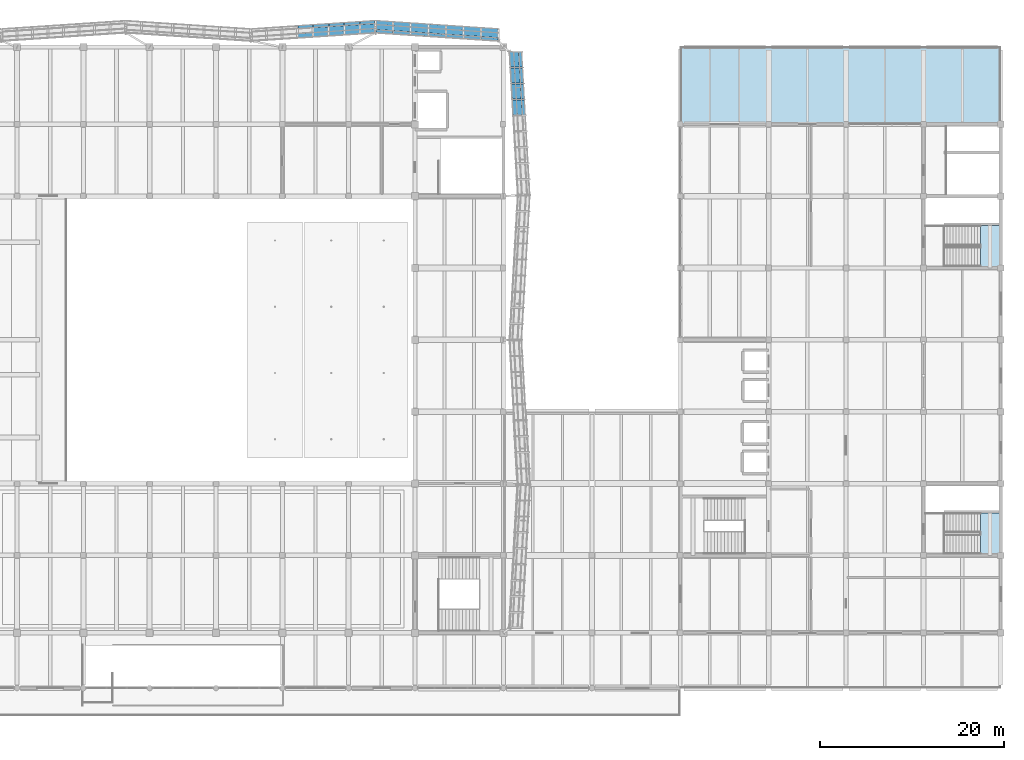
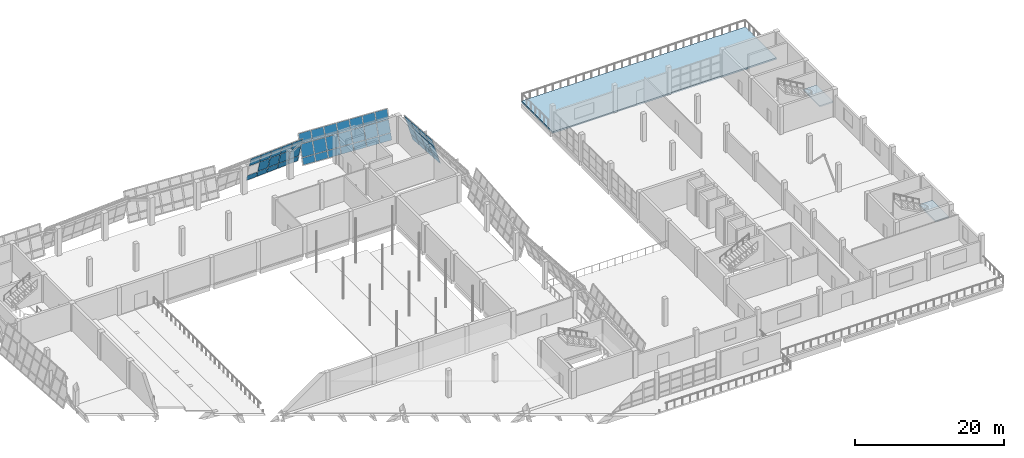
# One storey, part 46 of 71: 47 plates, 3 slabs, 5 elements without a shape of their own.
"""IFC4 building model written with IfcOpenShell, lengths in metres."""

from ifc_helpers import new_model, si_unit, direction, frame, origin, place, context, subcontext, project, spatial, polyline, outline, extrude, material, layer, layer_set, type_object, element, aggregate, save


model = new_model("IFC4")

# Units and contexts
model_context = context("Model", 3, precision=1e-05, world=origin(), true_north=direction((0.0, 1.0)))
body_context = subcontext(model_context, "Body", "Model", "MODEL_VIEW")
ifc_project = project(units=[si_unit("LENGTHUNIT", "METRE"), si_unit("AREAUNIT", "SQUARE_METRE"), si_unit("VOLUMEUNIT", "CUBIC_METRE"), si_unit("PLANEANGLEUNIT", "RADIAN"), si_unit("MASSUNIT", "GRAM", prefix="KILO")], contexts=[model_context])

# Site, building, storey
site_placement = place(None, origin())
site = spatial("IfcSite", under=ifc_project, at=site_placement, CompositionType="ELEMENT")
building_placement = place(site_placement, origin())
building = spatial("IfcBuilding", under=site, at=building_placement, Name="Pellamere Symphony Hall", CompositionType="ELEMENT")
storey_placement = place(building_placement, frame((0.0, 0.0, 15.0)))
storey = spatial("IfcBuildingStorey", under=building, at=storey_placement, Name="L03", CompositionType="ELEMENT", Elevation=15.0)

# Curtain wall, plates
ifc_material_1 = material(Name="Thermally Broken Anodised Aluminium 6063-T6 Curtain Wall", Category="aluminium")
curtain_wall_type = type_object("IfcCurtainWallType", Name="Curtain Wall CW-01 (Tilted Faceted Crystal Low-Iron Curtain Wall)", PredefinedType="NOTDEFINED", material=ifc_material_1)
curtain_wall_1_placement = place(storey_placement, origin())
curtain_wall_1 = element("IfcCurtainWall", 1, at=curtain_wall_1_placement, inside=storey, type_object=curtain_wall_type, Name="Crystal Faceted Curtain Wall CW-CR09 (L03)", PredefinedType="NOTDEFINED")
ifc_material_2 = material(Name="Triple Laminated Acoustic Crystal Glazing 42mm", Category="glass")
ifc_layer_1 = layer(ifc_material_2, 0.0419921875, Name="Triple Laminated Acoustic Crystal Glazing 42mm")
ifc_layer_set_1 = layer_set([ifc_layer_1], Name="Triple Laminated Acoustic Crystal Glazing 42mm")
plate_type = type_object("IfcPlateType", Name="Facade Panel GL-02 42mm", PredefinedType="CURTAIN_PANEL", material=ifc_layer_set_1)
plate_1_placement = place(storey_placement, frame((121.159423828125, 86.2041015625, 0.072021484375), z_axis=(0.957341250423, 0.055174311724, 0.283643306926), x_axis=(-0.057531487585, 0.998343692091, -1.9953977e-05)))
plate_1 = element("IfcPlate", 2, at=plate_1_placement, type_object=plate_type, Name="CW1-020 crystal glass panel 6.1", PredefinedType="CURTAIN_PANEL", context=body_context, shape_type="SweptSolid", body=[
    extrude(outline(polyline([(0.0, 0.0), (1.6611922636769045, -3.469446951953614e-18), (1.6777468824677166, 1.0135854014350005), (0.016540573017476246, 1.0135162670094096), (0.0, 0.0)])), origin(), (0.0, 0.0, -1.0), 0.0419921875),
])
plate_2_placement = place(storey_placement, frame((120.850341796875, 86.2041015625, 1.115966796875), z_axis=(0.957351997497, 0.055245397176, 0.283593192759), x_axis=(-0.057610619545, 0.998339129012, 0.0)))
plate_2 = element("IfcPlate", 3, at=plate_2_placement, type_object=plate_type, Name="CW1-020 crystal glass panel 6.2", PredefinedType="CURTAIN_PANEL", context=body_context, shape_type="SweptSolid", body=[
    extrude(outline(polyline([(0.0, 0.0), (1.6612063149993754, -3.469446951953614e-18), (1.6922339094127932, 1.8959542407330272), (0.031027594413417556, 1.8959542407330272), (0.0, 0.0)])), origin(), (0.0, 0.0, -1.0), 0.0419921875),
])
plate_3_placement = place(storey_placement, frame((120.29052734375, 86.2041015625, 3.005859375), z_axis=(0.957330592308, 0.055244161959, 0.283665682802), x_axis=(-0.057610619545, 0.998339129012, 0.0)))
plate_3 = element("IfcPlate", 4, at=plate_3_placement, type_object=plate_type, Name="CW1-020 crystal glass panel 6.3", PredefinedType="CURTAIN_PANEL", context=body_context, shape_type="SweptSolid", body=[
    extrude(outline(polyline([(0.0, 0.0), (1.6612063149993754, 0.0), (1.6854826649348056, 1.4830375166207674), (0.024276349935430055, 1.4830375166207674), (0.0, 0.0)])), origin(), (0.0, 0.0, -1.0), 0.0419921875),
])
plate_4_placement = place(storey_placement, frame((121.0595703125, 87.9375, 0.072021484375), z_axis=(0.957304871124, 0.05524267768, 0.283752762604), x_axis=(-0.057610619545, 0.998339129012, 0.0)))
plate_4 = element("IfcPlate", 5, at=plate_4_placement, type_object=plate_type, Name="CW1-020 crystal glass panel 7.1", PredefinedType="CURTAIN_PANEL", context=body_context, shape_type="SweptSolid", body=[
    extrude(outline(polyline([(0.0, 0.0), (1.6612063149993754, 0.0), (1.677803124341095, 1.0135847182066644), (0.01659680934171927, 1.0135847182066644), (0.0, 0.0)])), origin(), (0.0, 0.0, -1.0), 0.0419921875),
])
plate_5_placement = place(storey_placement, frame((120.750244140625, 87.9375, 1.115966796875), z_axis=(0.957351997497, 0.055245397176, 0.283593192759), x_axis=(-0.057610619545, 0.998339129012, 0.0)))
plate_5 = element("IfcPlate", 6, at=plate_5_placement, type_object=plate_type, Name="CW1-020 crystal glass panel 7.2", PredefinedType="CURTAIN_PANEL", context=body_context, shape_type="SweptSolid", body=[
    extrude(outline(polyline([(0.0, 0.0), (1.6612063149993754, -3.469446951953614e-18), (1.6922339094127932, 1.8959542407330272), (0.031027594413417556, 1.8959542407330272), (0.0, 0.0)])), origin(), (0.0, 0.0, -1.0), 0.0419921875),
])
plate_6_placement = place(storey_placement, frame((120.1904296875, 87.9375, 3.005859375), z_axis=(0.957330592308, 0.055244161959, 0.283665682802), x_axis=(-0.057610619545, 0.998339129012, 0.0)))
plate_6 = element("IfcPlate", 7, at=plate_6_placement, type_object=plate_type, Name="CW1-020 crystal glass panel 7.3", PredefinedType="CURTAIN_PANEL", context=body_context, shape_type="SweptSolid", body=[
    extrude(outline(polyline([(0.0, 0.0), (1.6612063149993754, 0.0), (1.6854826649348056, 1.4830375166207674), (0.024276349935430055, 1.4830375166207674), (0.0, 0.0)])), origin(), (0.0, 0.0, -1.0), 0.0419921875),
])
plate_7_placement = place(storey_placement, frame((120.95947265625, 89.670654296875, 0.072021484375), z_axis=(0.957370600532, 0.055238339036, 0.283531760369), x_axis=(-0.057602168051, 0.998339616682, 0.0)))
plate_7 = element("IfcPlate", 8, at=plate_7_placement, type_object=plate_type, Name="CW1-020 crystal glass panel 8.1", PredefinedType="CURTAIN_PANEL", context=body_context, shape_type="SweptSolid", body=[
    extrude(outline(polyline([(0.0, 0.0), (1.6614500501978287, 3.469446951953614e-18), (1.6780303617535524, 1.0135156244351138), (0.01658031155572367, 1.0135156244351138), (0.0, 0.0)])), origin(), (0.0, 0.0, -1.0), 0.0419921875),
])
plate_8_placement = place(storey_placement, frame((120.650390625, 89.670654296875, 1.115966796875), z_axis=(0.957352427535, 0.055237290491, 0.283593320148), x_axis=(-0.057602168051, 0.998339616682, 0.0)))
plate_8 = element("IfcPlate", 9, at=plate_8_placement, type_object=plate_type, Name="CW1-020 crystal glass panel 8.2", PredefinedType="CURTAIN_PANEL", context=body_context, shape_type="SweptSolid", body=[
    extrude(outline(polyline([(0.0, 0.0), (1.6614500501978287, -3.469446951953614e-18), (1.6924730928542548, 1.8959543152177933), (0.031023042656426136, 1.8959543152177933), (0.0, 0.0)])), origin(), (0.0, 0.0, -1.0), 0.0419921875),
])
plate_9_placement = place(storey_placement, frame((120.09033203125, 89.670654296875, 3.005859375), z_axis=(0.957375643376, 0.055238629998, 0.283514675506), x_axis=(-0.057602168051, 0.998339616682, 0.0)))
plate_9 = element("IfcPlate", 10, at=plate_9_placement, type_object=plate_type, Name="CW1-020 crystal glass panel 8.3", PredefinedType="CURTAIN_PANEL", context=body_context, shape_type="SweptSolid", body=[
    extrude(outline(polyline([(0.0, 0.0), (1.6614500501978287, -3.469446951953614e-18), (1.6857087757564575, 1.4829684539719754), (0.02425872555862878, 1.4829684539719754), (0.0, 0.0)])), origin(), (0.0, 0.0, -1.0), 0.0419921875),
])
plate_10_placement = place(storey_placement, frame((120.859619140625, 91.404052734375, 0.072021484375), z_axis=(0.957306173936, 0.055218112141, 0.283753148768), x_axis=(-0.057585007883, 0.99834060664, 0.0)))
plate_10 = element("IfcPlate", 11, at=plate_10_placement, type_object=plate_type, Name="CW1-020 crystal glass panel 9.1", PredefinedType="CURTAIN_PANEL", context=body_context, shape_type="SweptSolid", body=[
    extrude(outline(polyline([(0.0, 0.0), (1.6237882534451713, -3.469446951953614e-18), (1.640377684427097, 1.0135848389957818), (0.016589430981925515, 1.0135848389957818), (0.0, 0.0)])), origin(), (0.0, 0.0, -1.0), 0.0419921875),
])
plate_11_placement = place(storey_placement, frame((120.55029296875, 91.404052734375, 1.115966796875), z_axis=(0.957353300502, 0.055220830436, 0.283593578744), x_axis=(-0.057585007883, 0.99834060664, 0.0)))
plate_11 = element("IfcPlate", 12, at=plate_11_placement, type_object=plate_type, Name="CW1-020 crystal glass panel 9.2", PredefinedType="CURTAIN_PANEL", context=body_context, shape_type="SweptSolid", body=[
    extrude(outline(polyline([(0.0, 0.0), (1.6237882534451713, -3.469446951953614e-18), (1.654802054077483, 1.895954466420271), (0.031013800632311597, 1.895954466420271), (0.0, 0.0)])), origin(), (0.0, 0.0, -1.0), 0.0419921875),
])
plate_12_placement = place(storey_placement, frame((119.990478515625, 91.404052734375, 3.005859375), z_axis=(0.957331895226, 0.055219595764, 0.283666068869), x_axis=(-0.057585007883, 0.99834060664, 0.0)))
plate_12 = element("IfcPlate", 13, at=plate_12_placement, type_object=plate_type, Name="CW1-020 crystal glass panel 9.3", PredefinedType="CURTAIN_PANEL", context=body_context, shape_type="SweptSolid", body=[
    extrude(outline(polyline([(0.0, 0.0), (1.6237882534451713, 0.0), (1.6480538109661913, 1.483037693246222), (0.024265557521019863, 1.483037693246222), (0.0, 0.0)])), origin(), (0.0, 0.0, -1.0), 0.0419921875),
])
aggregate(curtain_wall_1, [plate_1, plate_2, plate_3, plate_4, plate_5, plate_6, plate_7, plate_8, plate_9, plate_10, plate_11, plate_12])

curtain_wall_2_placement = place(storey_placement, origin())
curtain_wall_2 = element("IfcCurtainWall", 14, at=curtain_wall_2_placement, inside=storey, type_object=curtain_wall_type, Name="Crystal Faceted Curtain Wall CW-CR10 (L03)", PredefinedType="NOTDEFINED")
plate_13_placement = place(storey_placement, frame((118.22509765625, 94.2763671875, 0.072021484375), z_axis=(-0.064299929155, -0.956850357038, 0.283377686749), x_axis=(-0.997749727577, 0.067048349123, 0.0)))
plate_13 = element("IfcPlate", 15, at=plate_13_placement, type_object=plate_type, Name="CW1-023 crystal glass panel 1.1", PredefinedType="CURTAIN_PANEL", context=body_context, shape_type="SweptSolid", body=[
    extrude(outline(polyline([(0.0, 0.0), (1.806066093850216, -6.938893903907228e-18), (1.8253654111393334, -1.0134674953137657), (0.019299317289117303, -1.0134674953137657), (0.0, 0.0)])), origin(), (0.0, 0.0, -1.0), 0.0419921875),
])
plate_14_placement = place(storey_placement, frame((118.22509765625, 94.585693359375, 1.115966796875), z_axis=(-0.064169609769, -0.956840181223, 0.28344157913), x_axis=(-0.997758761658, 0.066913776862, 0.0)))
plate_14 = element("IfcPlate", 16, at=plate_14_placement, type_object=plate_type, Name="CW1-023 crystal glass panel 1.2", PredefinedType="CURTAIN_PANEL", context=body_context, shape_type="SweptSolid", body=[
    extrude(outline(polyline([(0.0, 0.0), (1.8060497410515595, 6.938893903907228e-18), (1.8420877761488028, -1.895865621449728), (0.03603803509724332, -1.895865621449728), (0.0, 0.0)])), origin(), (0.0, 0.0, -1.0), 0.0419921875),
])
plate_15_placement = place(storey_placement, frame((118.22509765625, 95.1455078125, 3.005859375), z_axis=(-0.064300267479, -0.956855391665, 0.283360609549), x_axis=(-0.997749727577, 0.067048349123, 0.0)))
plate_15 = element("IfcPlate", 17, at=plate_15_placement, type_object=plate_type, Name="CW1-023 crystal glass panel 1.3", PredefinedType="CURTAIN_PANEL", context=body_context, shape_type="SweptSolid", body=[
    extrude(outline(polyline([(0.0, 0.0), (1.806066093850216, 0.0), (1.8343030084589753, -1.4828980402897356), (0.028236914608759413, -1.4828980402897356), (0.0, 0.0)])), origin(), (0.0, 0.0, -1.0), 0.0419921875),
])
plate_16_placement = place(storey_placement, frame((116.348388671875, 94.40234375, 0.072021484375), z_axis=(-0.064251449356, -0.956787887145, 0.283599524449), x_axis=(-0.997752815695, 0.067002378864, 0.0)))
plate_16 = element("IfcPlate", 18, at=plate_16_placement, type_object=plate_type, Name="CW1-023 crystal glass panel 2.1", PredefinedType="CURTAIN_PANEL", context=body_context, shape_type="SweptSolid", body=[
    extrude(outline(polyline([(0.0, 0.0), (1.8437428393467363, 0.0), (1.863045282476549, -1.0135368028599794), (0.01930244312981295, -1.0135368028599794), (0.0, 0.0)])), origin(), (0.0, 0.0, -1.0), 0.0419921875),
])
plate_17_placement = place(storey_placement, frame((116.348388671875, 94.711669921875, 1.115966796875), z_axis=(-0.064254608922, -0.956834937205, 0.283440025712), x_axis=(-0.997752815695, 0.067002378864, 0.0)))
plate_17 = element("IfcPlate", 19, at=plate_17_placement, type_object=plate_type, Name="CW1-023 crystal glass panel 2.2", PredefinedType="CURTAIN_PANEL", context=body_context, shape_type="SweptSolid", body=[
    extrude(outline(polyline([(0.0, 0.0), (1.8437428393467363, -6.938893903907228e-18), (1.879828593197895, -1.895864713775123), (0.036085753851158794, -1.895864713775123), (0.0, 0.0)])), origin(), (0.0, 0.0, -1.0), 0.0419921875),
])
plate_18_placement = place(storey_placement, frame((116.348388671875, 95.271484375, 3.005859375), z_axis=(-0.064253173821, -0.95681356668, 0.283512483449), x_axis=(-0.997752815695, 0.067002378864, 0.0)))
plate_18 = element("IfcPlate", 20, at=plate_18_placement, type_object=plate_type, Name="CW1-023 crystal glass panel 2.3", PredefinedType="CURTAIN_PANEL", context=body_context, shape_type="SweptSolid", body=[
    extrude(outline(polyline([(0.0, 0.0), (1.8437428393467363, -6.938893903907228e-18), (1.8719767519247508, -1.4829674517842317), (0.02823391257801454, -1.4829674517842317), (0.0, 0.0)])), origin(), (0.0, 0.0, -1.0), 0.0419921875),
])
plate_19_placement = place(storey_placement, frame((114.43408203125, 94.531005859375, 0.072021484375), z_axis=(-0.06425582732, -0.956853080748, 0.283378493394), x_axis=(-0.997752815695, 0.067002378864, 0.0)))
plate_19 = element("IfcPlate", 21, at=plate_19_placement, type_object=plate_type, Name="CW1-023 crystal glass panel 3.1", PredefinedType="CURTAIN_PANEL", context=body_context, shape_type="SweptSolid", body=[
    extrude(outline(polyline([(0.0, 0.0), (1.8437428393467363, 0.0), (1.863028924473897, -1.0134677472055296), (0.019286085127160568, -1.0134677472055296), (0.0, 0.0)])), origin(), (0.0, 0.0, -1.0), 0.0419921875),
])
plate_20_placement = place(storey_placement, frame((114.43408203125, 94.84033203125, 1.115966796875), z_axis=(-0.064254608922, -0.956834937205, 0.283440025712), x_axis=(-0.997752815695, 0.067002378864, 0.0)))
plate_20 = element("IfcPlate", 22, at=plate_20_placement, type_object=plate_type, Name="CW1-023 crystal glass panel 3.2", PredefinedType="CURTAIN_PANEL", context=body_context, shape_type="SweptSolid", body=[
    extrude(outline(polyline([(0.0, 0.0), (1.8437428393467363, -6.938893903907228e-18), (1.879828593197895, -1.895864713775123), (0.036085753851158794, -1.895864713775123), (0.0, 0.0)])), origin(), (0.0, 0.0, -1.0), 0.0419921875),
])
plate_21_placement = place(storey_placement, frame((114.43408203125, 95.400146484375, 3.005859375), z_axis=(-0.064256165415, -0.956858115418, 0.283361416154), x_axis=(-0.997752815695, 0.067002378864, 0.0)))
plate_21 = element("IfcPlate", 23, at=plate_21_placement, type_object=plate_type, Name="CW1-023 crystal glass panel 3.3", PredefinedType="CURTAIN_PANEL", context=body_context, shape_type="SweptSolid", body=[
    extrude(outline(polyline([(0.0, 0.0), (1.8437428393467363, 0.0), (1.8719603939220983, -1.4828984088114556), (0.028217554575362156, -1.4828984088114556), (0.0, 0.0)])), origin(), (0.0, 0.0, -1.0), 0.0419921875),
])
plate_22_placement = place(storey_placement, frame((112.519775390625, 94.659423828125, 0.072021484375), z_axis=(-0.064251449356, -0.956787887145, 0.283599524449), x_axis=(-0.997752815695, 0.067002378864, 0.0)))
plate_22 = element("IfcPlate", 24, at=plate_22_placement, type_object=plate_type, Name="CW1-023 crystal glass panel 4.1", PredefinedType="CURTAIN_PANEL", context=body_context, shape_type="SweptSolid", body=[
    extrude(outline(polyline([(0.0, 0.0), (1.8437428393467363, 0.0), (1.863045282476549, -1.0135368028599794), (0.01930244312981295, -1.0135368028599794), (0.0, 0.0)])), origin(), (0.0, 0.0, -1.0), 0.0419921875),
])
plate_23_placement = place(storey_placement, frame((112.519775390625, 94.96875, 1.115966796875), z_axis=(-0.064254608922, -0.956834937205, 0.283440025712), x_axis=(-0.997752815695, 0.067002378864, 0.0)))
plate_23 = element("IfcPlate", 25, at=plate_23_placement, type_object=plate_type, Name="CW1-023 crystal glass panel 4.2", PredefinedType="CURTAIN_PANEL", context=body_context, shape_type="SweptSolid", body=[
    extrude(outline(polyline([(0.0, 0.0), (1.8437428393467363, -6.938893903907228e-18), (1.879828593197895, -1.895864713775123), (0.036085753851158794, -1.895864713775123), (0.0, 0.0)])), origin(), (0.0, 0.0, -1.0), 0.0419921875),
])
plate_24_placement = place(storey_placement, frame((112.519775390625, 95.528564453125, 3.005859375), z_axis=(-0.064253173821, -0.95681356668, 0.283512483449), x_axis=(-0.997752815695, 0.067002378864, 0.0)))
plate_24 = element("IfcPlate", 26, at=plate_24_placement, type_object=plate_type, Name="CW1-023 crystal glass panel 4.3", PredefinedType="CURTAIN_PANEL", context=body_context, shape_type="SweptSolid", body=[
    extrude(outline(polyline([(0.0, 0.0), (1.8437428393467363, -6.938893903907228e-18), (1.8719767519247508, -1.4829674517842317), (0.02823391257801454, -1.4829674517842317), (0.0, 0.0)])), origin(), (0.0, 0.0, -1.0), 0.0419921875),
])
plate_25_placement = place(storey_placement, frame((110.60546875, 94.7880859375, 0.072021484375), z_axis=(-0.064251449356, -0.956787887145, 0.283599524449), x_axis=(-0.997752815695, 0.067002378864, 0.0)))
plate_25 = element("IfcPlate", 27, at=plate_25_placement, type_object=plate_type, Name="CW1-023 crystal glass panel 5.1", PredefinedType="CURTAIN_PANEL", context=body_context, shape_type="SweptSolid", body=[
    extrude(outline(polyline([(0.0, 0.0), (1.8437428393467363, 0.0), (1.863045282476549, -1.0135368028599794), (0.01930244312981295, -1.0135368028599794), (0.0, 0.0)])), origin(), (0.0, 0.0, -1.0), 0.0419921875),
])
plate_26_placement = place(storey_placement, frame((110.60546875, 95.097412109375, 1.115966796875), z_axis=(-0.064254608922, -0.956834937205, 0.283440025712), x_axis=(-0.997752815695, 0.067002378864, 0.0)))
plate_26 = element("IfcPlate", 28, at=plate_26_placement, type_object=plate_type, Name="CW1-023 crystal glass panel 5.2", PredefinedType="CURTAIN_PANEL", context=body_context, shape_type="SweptSolid", body=[
    extrude(outline(polyline([(0.0, 0.0), (1.8437428393467363, -6.938893903907228e-18), (1.879828593197895, -1.895864713775123), (0.036085753851158794, -1.895864713775123), (0.0, 0.0)])), origin(), (0.0, 0.0, -1.0), 0.0419921875),
])
plate_27_placement = place(storey_placement, frame((110.60546875, 95.6572265625, 3.005859375), z_axis=(-0.064253173821, -0.95681356668, 0.283512483449), x_axis=(-0.997752815695, 0.067002378864, 0.0)))
plate_27 = element("IfcPlate", 29, at=plate_27_placement, type_object=plate_type, Name="CW1-023 crystal glass panel 5.3", PredefinedType="CURTAIN_PANEL", context=body_context, shape_type="SweptSolid", body=[
    extrude(outline(polyline([(0.0, 0.0), (1.8437428393467363, -6.938893903907228e-18), (1.8719767519247508, -1.4829674517842317), (0.02823391257801454, -1.4829674517842317), (0.0, 0.0)])), origin(), (0.0, 0.0, -1.0), 0.0419921875),
])
plate_28_placement = place(storey_placement, frame((108.691162109375, 94.916748046875, 0.072021484375), z_axis=(-0.064264320879, -0.956852556335, 0.283378338086), x_axis=(-0.99775222112, 0.067011232265, 0.0)))
plate_28 = element("IfcPlate", 30, at=plate_28_placement, type_object=plate_type, Name="CW1-023 crystal glass panel 6.1", PredefinedType="CURTAIN_PANEL", context=body_context, shape_type="SweptSolid", body=[
    extrude(outline(polyline([(0.0, 0.0), (1.843499247423292, -6.938893903907228e-18), (1.8627878809293459, -1.0134676987071924), (0.019288633506053806, -1.0134676987071924), (0.0, 0.0)])), origin(), (0.0, 0.0, -1.0), 0.0419921875),
])
plate_29_placement = place(storey_placement, frame((108.691162109375, 95.225830078125, 1.115966796875), z_axis=(-0.064263102321, -0.956834412823, 0.283439870376), x_axis=(-0.99775222112, 0.067011232265, 0.0)))
plate_29 = element("IfcPlate", 31, at=plate_29_placement, type_object=plate_type, Name="CW1-023 crystal glass panel 6.2", PredefinedType="CURTAIN_PANEL", context=body_context, shape_type="SweptSolid", body=[
    extrude(outline(polyline([(0.0, 0.0), (1.843499247423292, -6.938893903907228e-18), (1.8795897694880543, -1.8958646230112863), (0.03609052206476225, -1.8958646230112863), (0.0, 0.0)])), origin(), (0.0, 0.0, -1.0), 0.0419921875),
])
plate_30_placement = place(storey_placement, frame((108.691162109375, 95.785888671875, 3.005859375), z_axis=(-0.064264659018, -0.956857590997, 0.283361260853), x_axis=(-0.99775222112, 0.067011232265, 0.0)))
plate_30 = element("IfcPlate", 32, at=plate_30_placement, type_object=plate_type, Name="CW1-023 crystal glass panel 6.3", PredefinedType="CURTAIN_PANEL", context=body_context, shape_type="SweptSolid", body=[
    extrude(outline(polyline([(0.0, 0.0), (1.843499247423292, 0.0), (1.8717205305428366, -1.4828983378576046), (0.02822128311954437, -1.4828983378576046), (0.0, 0.0)])), origin(), (0.0, 0.0, -1.0), 0.0419921875),
])
plate_31_placement = place(storey_placement, frame((106.77685546875, 95.045166015625, 0.072021484375), z_axis=(-0.06429554821, -0.956785163992, 0.283598717285), x_axis=(-0.997749727577, 0.067048349123, 0.0)))
plate_31 = element("IfcPlate", 33, at=plate_31_placement, type_object=plate_type, Name="CW1-023 crystal glass panel 7.1", PredefinedType="CURTAIN_PANEL", context=body_context, shape_type="SweptSolid", body=[
    extrude(outline(polyline([(0.0, 0.0), (1.806066093850216, 0.0), (1.8253817803651935, -1.013536550557928), (0.019315686514977455, -1.013536550557928), (0.0, 0.0)])), origin(), (0.0, 0.0, -1.0), 0.0419921875),
])
plate_32_placement = place(storey_placement, frame((106.77685546875, 95.3544921875, 1.115966796875), z_axis=(-0.064298709927, -0.95683221365, 0.283439218922), x_axis=(-0.997749727577, 0.067048349123, 0.0)))
plate_32 = element("IfcPlate", 34, at=plate_32_placement, type_object=plate_type, Name="CW1-023 crystal glass panel 7.2", PredefinedType="CURTAIN_PANEL", context=body_context, shape_type="SweptSolid", body=[
    extrude(outline(polyline([(0.0, 0.0), (1.806066093850216, 0.0), (1.8421766060977078, -1.8958642423638508), (0.03611051224749175, -1.8958642423638508), (0.0, 0.0)])), origin(), (0.0, 0.0, -1.0), 0.0419921875),
])
plate_33_placement = place(storey_placement, frame((106.77685546875, 95.914306640625, 3.005859375), z_axis=(-0.064297273849, -0.956810843307, 0.283511676489), x_axis=(-0.997749727577, 0.067048349123, 0.0)))
plate_33 = element("IfcPlate", 35, at=plate_33_placement, type_object=plate_type, Name="CW1-023 crystal glass panel 7.3", PredefinedType="CURTAIN_PANEL", context=body_context, shape_type="SweptSolid", body=[
    extrude(outline(polyline([(0.0, 0.0), (1.806066093850216, 0.0), (1.8343193776848354, -1.4829670828522934), (0.02825328383461956, -1.4829670828522934), (0.0, 0.0)])), origin(), (0.0, 0.0, -1.0), 0.0419921875),
])
aggregate(curtain_wall_2, [plate_13, plate_14, plate_15, plate_16, plate_17, plate_18, plate_19, plate_20, plate_21, plate_22, plate_23, plate_24, plate_25, plate_26, plate_27, plate_28, plate_29, plate_30, plate_31, plate_32, plate_33])

curtain_wall_3_placement = place(storey_placement, origin())
curtain_wall_3 = element("IfcCurtainWall", 36, at=curtain_wall_3_placement, inside=storey, type_object=curtain_wall_type, Name="Crystal Faceted Curtain Wall CW-CR11 (L03)", PredefinedType="NOTDEFINED")
plate_34_placement = place(storey_placement, frame((104.8251953125, 96.456787109375, 0.072021484375), z_axis=(-0.063768067856, 0.956817613505, 0.283608335578), x_axis=(-0.997786526209, -0.066498482063, 0.0)))
plate_34 = element("IfcPlate", 37, at=plate_34_placement, type_object=plate_type, Name="CW1-026 crystal glass panel 1.1", PredefinedType="CURTAIN_PANEL", context=body_context, shape_type="SweptSolid", body=[
    extrude(outline(polyline([(0.0, 0.0), (1.578689700777497, -3.469446951953614e-18), (1.5978469783249076, 1.0135395570866388), (0.01915727754741067, 1.0135395570866388), (0.0, 0.0)])), origin(), (0.0, 0.0, -1.0), 0.0419921875),
])
plate_35_placement = place(storey_placement, frame((104.8251953125, 96.1474609375, 1.115966796875), z_axis=(-0.063771203847, 0.95686466795, 0.283448832751), x_axis=(-0.997786526209, -0.066498482063, 0.0)))
plate_35 = element("IfcPlate", 38, at=plate_35_placement, type_object=plate_type, Name="CW1-026 crystal glass panel 1.2", PredefinedType="CURTAIN_PANEL", context=body_context, shape_type="SweptSolid", body=[
    extrude(outline(polyline([(0.0, 0.0), (1.578689700777497, 0.0), (1.6145040688025716, 1.8958698598826869), (0.03581436802507452, 1.8958698598826869), (0.0, 0.0)])), origin(), (0.0, 0.0, -1.0), 0.0419921875),
])
plate_36_placement = place(storey_placement, frame((104.8251953125, 95.587646484375, 3.005859375), z_axis=(-0.063769779454, 0.956843295433, 0.283521292346), x_axis=(-0.997786526209, -0.066498482063, 0.0)))
plate_36 = element("IfcPlate", 39, at=plate_36_placement, type_object=plate_type, Name="CW1-026 crystal glass panel 1.3", PredefinedType="CURTAIN_PANEL", context=body_context, shape_type="SweptSolid", body=[
    extrude(outline(polyline([(0.0, 0.0), (1.578689700777497, -3.469446951953614e-18), (1.6067112779358281, 1.4829714791877961), (0.028021577158331198, 1.4829714791877961), (0.0, 0.0)])), origin(), (0.0, 0.0, -1.0), 0.0419921875),
])
plate_37_placement = place(storey_placement, frame((103.175048828125, 96.3466796875, 0.072021484375), z_axis=(-0.063813980382, 0.956847537844, 0.283497028608), x_axis=(-0.99778388931, -0.066538032828, -2.0489291e-05)))
plate_37 = element("IfcPlate", 40, at=plate_37_placement, type_object=plate_type, Name="CW1-026 crystal glass panel 2.1", PredefinedType="CURTAIN_PANEL", context=body_context, shape_type="SweptSolid", body=[
    extrude(outline(polyline([(0.0, 0.0), (1.6161228816748314, 0.0), (1.6352716392112494, 1.0135397113603168), (0.019132512899497058, 1.0134706512833356), (0.0, 0.0)])), origin(), (0.0, 0.0, -1.0), 0.0419921875),
])
plate_38_placement = place(storey_placement, frame((103.175048828125, 96.037353515625, 1.115966796875), z_axis=(-0.063742803838, 0.956866407618, 0.283449348087), x_axis=(-0.997788498757, -0.06646887804, 0.0)))
plate_38 = element("IfcPlate", 41, at=plate_38_placement, type_object=plate_type, Name="CW1-026 crystal glass panel 2.2", PredefinedType="CURTAIN_PANEL", context=body_context, shape_type="SweptSolid", body=[
    extrude(outline(polyline([(0.0, 0.0), (1.616122885895694, 0.0), (1.6519213099571914, 1.895870161008751), (0.03579842406149748, 1.895870161008751), (0.0, 0.0)])), origin(), (0.0, 0.0, -1.0), 0.0419921875),
])
plate_39_placement = place(storey_placement, frame((103.175048828125, 95.4775390625, 3.005859375), z_axis=(-0.063815004476, 0.956862893455, 0.283444965263), x_axis=(-0.997783889163, -0.066538035048, -2.0485857e-05)))
plate_39 = element("IfcPlate", 42, at=plate_39_placement, type_object=plate_type, Name="CW1-026 crystal glass panel 2.3", PredefinedType="CURTAIN_PANEL", context=body_context, shape_type="SweptSolid", body=[
    extrude(outline(polyline([(0.0, 0.0), (1.616122881674696, -3.469446951953614e-18), (1.64413199260605, 1.4829717100917374), (0.02799286629389127, 1.4829026626974238), (0.0, 0.0)])), origin(), (0.0, 0.0, -1.0), 0.0419921875),
])
plate_40_placement = place(storey_placement, frame((101.487548828125, 96.234130859375, 0.072021484375), z_axis=(-0.063813980382, 0.956847537844, 0.283497028608), x_axis=(-0.99778388931, -0.066538032828, -2.0489291e-05)))
plate_40 = element("IfcPlate", 43, at=plate_40_placement, type_object=plate_type, Name="CW1-026 crystal glass panel 3.1", PredefinedType="CURTAIN_PANEL", context=body_context, shape_type="SweptSolid", body=[
    extrude(outline(polyline([(0.0, 0.0), (1.6161228816748314, 0.0), (1.6352716392112494, 1.0135397113603168), (0.019132512899497058, 1.0134706512833356), (0.0, 0.0)])), origin(), (0.0, 0.0, -1.0), 0.0419921875),
])
plate_41_placement = place(storey_placement, frame((101.487548828125, 95.925048828125, 1.115966796875), z_axis=(-0.063887083219, 0.956857561593, 0.283446727659), x_axis=(-0.997778468566, -0.06661927398, 0.0)))
plate_41 = element("IfcPlate", 44, at=plate_41_placement, type_object=plate_type, Name="CW1-026 crystal glass panel 3.2", PredefinedType="CURTAIN_PANEL", context=body_context, shape_type="SweptSolid", body=[
    extrude(outline(polyline([(0.0, 0.0), (1.6161391320080933, 0.0), (1.6520185554455487, 1.8958686298218108), (0.03587942343745519, 1.8958686298218108), (0.0, 0.0)])), origin(), (0.0, 0.0, -1.0), 0.0419921875),
])
plate_42_placement = place(storey_placement, frame((101.487548828125, 95.364990234375, 3.005859375), z_axis=(-0.063815004476, 0.956862893455, 0.283444965263), x_axis=(-0.997783889163, -0.066538035048, -2.0485857e-05)))
plate_42 = element("IfcPlate", 45, at=plate_42_placement, type_object=plate_type, Name="CW1-026 crystal glass panel 3.3", PredefinedType="CURTAIN_PANEL", context=body_context, shape_type="SweptSolid", body=[
    extrude(outline(polyline([(0.0, 0.0), (1.616122881674696, -3.469446951953614e-18), (1.64413199260605, 1.4829717100917374), (0.02799286629389127, 1.4829026626974238), (0.0, 0.0)])), origin(), (0.0, 0.0, -1.0), 0.0419921875),
])
plate_43_placement = place(storey_placement, frame((99.800048828125, 96.12158203125, 0.072021484375), z_axis=(-0.063744012611, 0.956884552951, 0.283387814099), x_axis=(-0.997788498757, -0.06646887804, 0.0)))
plate_43 = element("IfcPlate", 46, at=plate_43_placement, type_object=plate_type, Name="CW1-026 crystal glass panel 4.1", PredefinedType="CURTAIN_PANEL", context=body_context, shape_type="SweptSolid", body=[
    extrude(outline(polyline([(0.0, 0.0), (1.616122885895694, -3.469446951953614e-18), (1.6352554071869476, 1.0134706578556791), (0.019132521291253642, 1.0134706578556791), (0.0, 0.0)])), origin(), (0.0, 0.0, -1.0), 0.0419921875),
])
plate_44_placement = place(storey_placement, frame((99.800048828125, 95.8125, 1.115966796875), z_axis=(-0.063887083219, 0.956857561593, 0.283446727659), x_axis=(-0.997778468566, -0.06661927398, 0.0)))
plate_44 = element("IfcPlate", 47, at=plate_44_placement, type_object=plate_type, Name="CW1-026 crystal glass panel 4.2", PredefinedType="CURTAIN_PANEL", context=body_context, shape_type="SweptSolid", body=[
    extrude(outline(polyline([(0.0, 0.0), (1.6161391320080933, 0.0), (1.6520185554455487, 1.8958686298218108), (0.03587942343745519, 1.8958686298218108), (0.0, 0.0)])), origin(), (0.0, 0.0, -1.0), 0.0419921875),
])
plate_45_placement = place(storey_placement, frame((99.800048828125, 95.252685546875, 3.005859375), z_axis=(-0.063815004476, 0.956862893455, 0.283444965263), x_axis=(-0.997783083326, -0.066550118015, 2.0485651e-05)))
plate_45 = element("IfcPlate", 48, at=plate_45_placement, type_object=plate_type, Name="CW1-026 crystal glass panel 4.3", PredefinedType="CURTAIN_PANEL", context=body_context, shape_type="SweptSolid", body=[
    extrude(outline(polyline([(0.0, 0.0), (1.6161391277871378, 0.0), (1.6441953490990662, 1.4829014653860697), (0.028072468899334197, 1.48297051208629), (0.0, 0.0)])), origin(), (0.0, 0.0, -1.0), 0.0419921875),
])
plate_46_placement = place(storey_placement, frame((98.112548828125, 96.00927734375, 0.072021484375), z_axis=(-0.063813980382, 0.956847537844, 0.283497028608), x_axis=(-0.997783083178, -0.066550120235, 2.0489085e-05)))
plate_46 = element("IfcPlate", 49, at=plate_46_placement, type_object=plate_type, Name="CW1-026 crystal glass panel 5.1", PredefinedType="CURTAIN_PANEL", context=body_context, shape_type="SweptSolid", body=[
    extrude(outline(polyline([(0.0, 0.0), (1.6161391277872732, 0.0), (1.6353149478078974, 1.013469832796741), (0.019192067608572165, 1.0135388921795014), (0.0, 0.0)])), origin(), (0.0, 0.0, -1.0), 0.0419921875),
])
plate_47_placement = place(storey_placement, frame((98.112548828125, 95.14013671875, 3.005859375), z_axis=(-0.063815004476, 0.956862893455, 0.283444965263), x_axis=(-0.997783083326, -0.066550118015, 2.0485651e-05)))
plate_47 = element("IfcPlate", 50, at=plate_47_placement, type_object=plate_type, Name="CW1-026 crystal glass panel 5.3", PredefinedType="CURTAIN_PANEL", context=body_context, shape_type="SweptSolid", body=[
    extrude(outline(polyline([(0.0, 0.0), (1.6161391277871378, 0.0), (1.6441953490990662, 1.4829014653860697), (0.028072468899334197, 1.48297051208629), (0.0, 0.0)])), origin(), (0.0, 0.0, -1.0), 0.0419921875),
])
aggregate(curtain_wall_3, [plate_34, plate_35, plate_36, plate_37, plate_38, plate_39, plate_40, plate_41, plate_42, plate_43, plate_44, plate_45, plate_46, plate_47])

# Stair, slab
ifc_material_3 = material(Name="Concrete 40 MPa", Category="concrete")
stair_type = type_object("IfcStairType", Name="Stair ST-B W2050", PredefinedType="HALF_TURN_STAIR", material=ifc_material_3)
stair_1_placement = place(storey_placement, origin())
stair_1 = element("IfcStair", 51, at=stair_1_placement, inside=storey, type_object=stair_type, Name="Exit Stair ST05-L03 (L03 to L04)", PredefinedType="HALF_TURN_STAIR")
ifc_layer_2 = layer(ifc_material_3, 0.219970703125, Name="Concrete 40 MPa")
ifc_layer_set_2 = layer_set([ifc_layer_2], Name="Concrete 40 MPa")
slab_type_1 = type_object("IfcSlabType", Name="Stair Landing SL-01 220mm", PredefinedType="LANDING", material=ifc_layer_set_2)
slab_1_placement = place(storey_placement, frame((0.0, 0.0, 2.030029296875)))
slab_1 = element("IfcSlab", 52, at=slab_1_placement, type_object=slab_type_1, Name="Stair ST05-L03 Half Landing (L03)", PredefinedType="LANDING", context=body_context, shape_type="SweptSolid", body=[
    extrude(outline(polyline([(170.574951171875, 69.760009765625), (172.639892578125, 69.760009765625), (172.639892578125, 74.199951171875), (170.574951171875, 74.199951171875), (170.574951171875, 69.760009765625)])), origin(), (0.0, 0.0, 1.0), 0.219970703125),
])
aggregate(stair_1, [slab_1])

stair_2_placement = place(storey_placement, origin())
stair_2 = element("IfcStair", 53, at=stair_2_placement, inside=storey, type_object=stair_type, Name="Exit Stair ST06-L03 (L03 to L04)", PredefinedType="HALF_TURN_STAIR")
slab_2_placement = place(storey_placement, frame((0.0, 0.0, 2.030029296875)))
slab_2 = element("IfcSlab", 54, at=slab_2_placement, type_object=slab_type_1, Name="Stair ST06-L03 Half Landing (L03)", PredefinedType="LANDING", context=body_context, shape_type="SweptSolid", body=[
    extrude(outline(polyline([(170.574951171875, 38.56005859375), (172.639892578125, 38.56005859375), (172.639892578125, 43.0), (170.574951171875, 43.0), (170.574951171875, 38.56005859375)])), origin(), (0.0, 0.0, 1.0), 0.219970703125),
])
aggregate(stair_2, [slab_2])

# Slab
ifc_layer_3 = layer(ifc_material_3, 0.25, Name="Concrete 40 MPa")
ifc_layer_set_3 = layer_set([ifc_layer_3], Name="Concrete 40 MPa")
slab_type_2 = type_object("IfcSlabType", Name="Structural Slab TS-02 250mm", PredefinedType="ROOF", material=ifc_layer_set_3)
slab_3_placement = place(storey_placement, frame((0.0, 0.0, -0.25)))
element("IfcSlab", 55, at=slab_3_placement, inside=storey, type_object=slab_type_2, Name="Ensemble Wing North Terrace 1", PredefinedType="ROOF", context=body_context, shape_type="SweptSolid", body=[
    extrude(outline(polyline([(138.0, 85.199951171875), (138.0, 93.60009765625), (172.800048828125, 93.60009765625), (172.800048828125, 85.199951171875), (166.875, 85.199951171875), (138.0, 85.199951171875)])), origin(), (0.0, 0.0, 1.0), 0.25),
])

save(model, "model.ifc")
